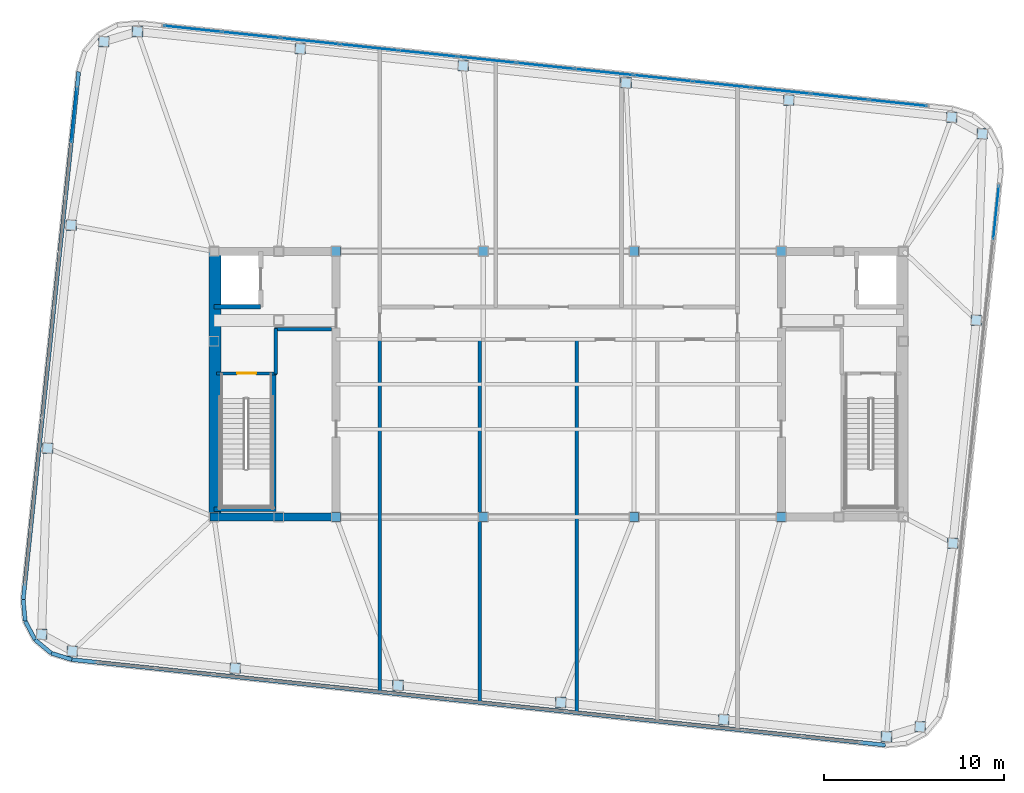
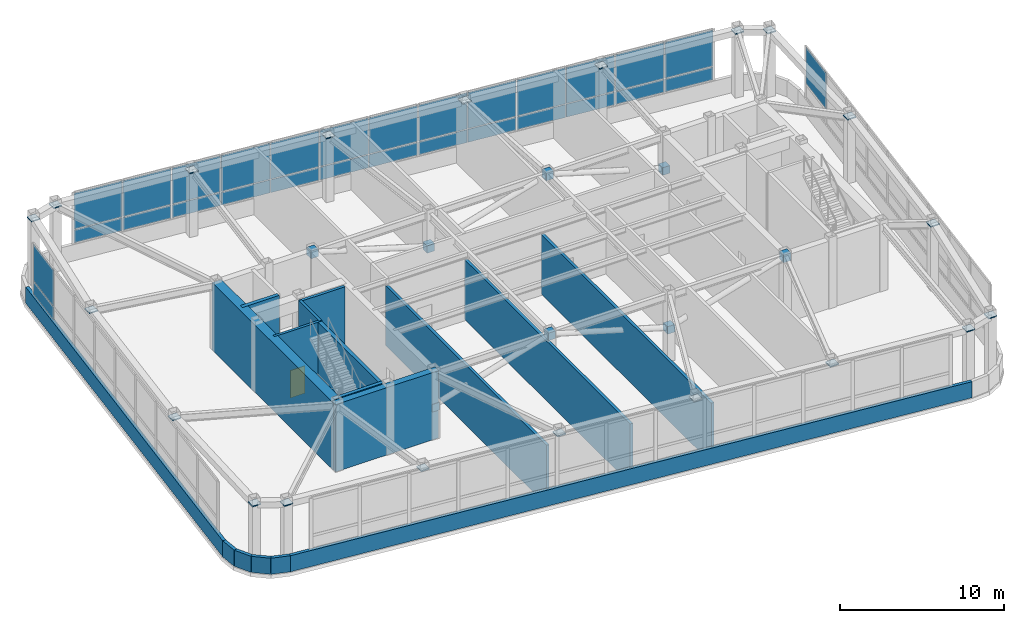
# One storey, part 19 of 23: 57 plates, 17 walls, 1 door, 1 opening, 3 elements without a shape of their own.
"""IFC4 building model written with IfcOpenShell, lengths in metres."""

from ifc_helpers import new_model, si_unit, direction, frame, frame_2d, origin, origin_2d, place, context, subcontext, project, spatial, rectangle, extrude, material, layer, layer_set, type_object, element, fill, aggregate, save


model = new_model("IFC4")

# Units and contexts
model_context = context("Model", 3, precision=1e-05, world=origin(), true_north=direction((0.0, 1.0)))
body_context = subcontext(model_context, "Body", "Model", "MODEL_VIEW")
ifc_project = project(units=[si_unit("LENGTHUNIT", "METRE"), si_unit("AREAUNIT", "SQUARE_METRE"), si_unit("VOLUMEUNIT", "CUBIC_METRE"), si_unit("PLANEANGLEUNIT", "RADIAN"), si_unit("MASSUNIT", "GRAM", prefix="KILO")], contexts=[model_context])

# Site, building, storey
site_placement = place(None, origin())
site = spatial("IfcSite", under=ifc_project, at=site_placement, CompositionType="ELEMENT")
building_placement = place(site_placement, origin())
building = spatial("IfcBuilding", under=site, at=building_placement, Name="Voryun Gate Residences", CompositionType="ELEMENT")
storey_placement = place(building_placement, frame((0.0, 0.0, 326.60009765625)))
storey = spatial("IfcBuildingStorey", under=building, at=storey_placement, Name="L80", CompositionType="ELEMENT", Elevation=326.60009765625)

# Plates
ifc_material_1 = material(Name="Steel SM355", Category="steel")
ifc_layer_1 = layer(ifc_material_1, 0.02490234375, Name="PLT_END_CAP_25")
ifc_layer_set_1 = layer_set([ifc_layer_1], Name="Steel SM355")
plate_type_1 = type_object("IfcPlateType", Name="PLT_END_CAP_25", PredefinedType="USERDEFINED", material=ifc_layer_set_1)
for number, where, z_axis, x_axis, name in (
    (1, (-27.088623046875, -14.87158203125, 4.759765625), (0.0, 0.0, 1.0), (1.0, 0.0, 0.0), "L80 Hollow Member End-Cap Plate EC-1019"),
    (2, (-18.0185546875, -15.824951171875, 4.759765625), (0.0, 0.0, 1.0), (1.0, 0.0, 0.0), "L80 Hollow Member End-Cap Plate EC-1020"),
    (3, (-8.948486328125, -16.7783203125, 4.759765625), (0.0, 0.0, 1.0), (1.0, 0.0, 0.0), "L80 Hollow Member End-Cap Plate EC-1021"),
    (4, (0.12158203125, -17.731689453125, 4.759765625), (0.0, 0.0, 1.0), (1.0, 0.0, 0.0), "L80 Hollow Member End-Cap Plate EC-1022"),
    (5, (9.19140625, -18.684814453125, 4.759765625), (0.0, 0.0, 1.0), (1.0, 0.0, 0.0), "L80 Hollow Member End-Cap Plate EC-1023"),
    (6, (18.261474609375, -19.63818359375, 4.759765625), (0.0, 0.0, 1.0), (1.0, 0.0, 0.0), "L80 Hollow Member End-Cap Plate EC-1024"),
    (7, (20.1328125, -19.083984375, 4.759765625), (0.0, 0.0, 1.0), (1.0, 0.0, 0.0), "L80 Hollow Member End-Cap Plate EC-1025"),
    (8, (21.958251953125, -8.861572265625, 4.759765625), (0.0, 0.0, 1.0), (1.0, 0.0, 0.0), "L80 Hollow Member End-Cap Plate EC-1026"),
    (9, (23.263916015625, 3.56201171875, 4.759765625), (0.0, 0.0, 1.0), (1.0, 0.0, 0.0), "L80 Hollow Member End-Cap Plate EC-1027"),
    (10, (23.603759765625, 13.9404296875, 4.759765625), (0.0, 0.0, 1.0), (1.0, 0.0, 0.0), "L80 Hollow Member End-Cap Plate EC-1028"),
    (11, (21.888671875, 14.87158203125, 4.759765625), (0.0, 0.0, 1.0), (1.0, 0.0, 0.0), "L80 Hollow Member End-Cap Plate EC-1029"),
    (12, (12.818603515625, 15.824951171875, 4.759765625), (0.0, 0.0, 1.0), (1.0, 0.0, 0.0), "L80 Hollow Member End-Cap Plate EC-1030"),
    (13, (3.74853515625, 16.7783203125, 4.759765625), (0.0, 0.0, 1.0), (1.0, 0.0, 0.0), "L80 Hollow Member End-Cap Plate EC-1031"),
    (14, (-5.3212890625, 17.731689453125, 4.759765625), (0.0, 0.0, 1.0), (1.0, 0.0, 0.0), "L80 Hollow Member End-Cap Plate EC-1032"),
    (15, (-14.3916015625, 18.684814453125, 4.759765625), (0.0, 0.0, 1.0), (1.0, 0.0, 0.0), "L80 Hollow Member End-Cap Plate EC-1033"),
    (16, (-23.46142578125, 19.63818359375, 4.759765625), (0.0, 0.0, 1.0), (1.0, 0.0, 0.0), "L80 Hollow Member End-Cap Plate EC-1034"),
    (17, (-25.332763671875, 19.083984375, 4.759765625), (0.0, 0.0, 1.0), (1.0, 0.0, 0.0), "L80 Hollow Member End-Cap Plate EC-1035"),
    (18, (-27.158203125, 8.861572265625, 4.759765625), (0.0, 0.0, 1.0), (1.0, 0.0, 0.0), "L80 Hollow Member End-Cap Plate EC-1036"),
    (19, (-28.464111328125, -3.56201171875, 4.759765625), (0.0, 0.0, 1.0), (1.0, 0.0, 0.0), "L80 Hollow Member End-Cap Plate EC-1037"),
    (20, (-28.8037109375, -13.9404296875, 4.759765625), (0.0, 0.0, 1.0), (1.0, 0.0, 0.0), "L80 Hollow Member End-Cap Plate EC-1038"),
):
    element("IfcPlate", number, at=place(storey_placement, frame(where, z_axis=z_axis, x_axis=x_axis)), inside=storey, type_object=plate_type_1, Name=name, ObjectType="BASE_PLATE", PredefinedType="USERDEFINED", context=body_context, shape_type="SweptSolid", body=[
        extrude(rectangle(XDim=0.590087890625, YDim=0.590087890625, at=origin_2d()), origin(), (0.0, 0.0, 1.0), 0.080078125),
    ])
for number, where, z_axis, x_axis, name in (
    (21, (-4.199951171875, -7.39990234375, 4.56494140625), (0.0, 0.0, 1.0), (1.0, 0.0, 0.0), "L80 Brace Node Connection Plate BN-1040"),
    (22, (12.39990234375, -7.39990234375, 4.56494140625), (0.0, 0.0, 1.0), (1.0, 0.0, 0.0), "L80 Brace Node Connection Plate BN-1042"),
    (23, (-12.39990234375, 7.39990234375, 4.56494140625), (0.0, 0.0, 1.0), (1.0, 0.0, 0.0), "L80 Brace Node Connection Plate BN-1044"),
    (24, (12.39990234375, 7.39990234375, 2.099853515625), (0.0, 0.0, 1.0), (1.0, 0.0, 0.0), "L80 Brace Node Connection Plate BN-1046"),
):
    element("IfcPlate", number, at=place(storey_placement, frame(where, z_axis=z_axis, x_axis=x_axis)), inside=storey, type_object=plate_type_1, Name=name, ObjectType="BASE_PLATE", PredefinedType="USERDEFINED", context=body_context, shape_type="SweptSolid", body=[
        extrude(rectangle(XDim=0.52001953125, YDim=0.52001953125, at=origin_2d()), origin(), (0.0, 0.0, 1.0), 0.56005859375),
    ])

# Curtain wall, plates
ifc_material_2 = material(Name="Anodised aluminium", Category="aluminium")
ifc_layer_2 = layer(ifc_material_2, 0.22998046875, Name="CW_SYS_LANTERN_DARK_GLASS")
ifc_layer_set_2 = layer_set([ifc_layer_2], Name="Anodised aluminium")
curtain_wall_type = type_object("IfcCurtainWallType", Name="CW_SYS_LANTERN_DARK_GLASS", PredefinedType="NOTDEFINED", material=ifc_layer_set_2)
curtain_wall_1_placement = place(storey_placement, origin())
curtain_wall_1 = element("IfcCurtainWall", 25, at=curtain_wall_1_placement, inside=storey, type_object=curtain_wall_type, Name="Curtain wall CW6-L80-06", PredefinedType="NOTDEFINED")
ifc_material_3 = material(Name="Fritted lantern glass", Category="glass")
ifc_layer_3 = layer(ifc_material_3, 0.050048828125, Name="PLT_GLASS_FRIT_LANTERN")
ifc_layer_set_3 = layer_set([ifc_layer_3], Name="Fritted lantern glass")
plate_type_2 = type_object("IfcPlateType", Name="PLT_GLASS_FRIT_LANTERN", PredefinedType="CURTAIN_PANEL", material=ifc_layer_set_3)
plate_1_placement = place(storey_placement, frame((-26.989013671875, 14.9677734375, 1.25), z_axis=(0.0, 0.0, 1.0), x_axis=(0.104528004296, 0.994521943608, 0.0)))
plate_1 = element("IfcPlate", 26, at=plate_1_placement, type_object=plate_type_2, Name="CW6 panel 9.1", PredefinedType="CURTAIN_PANEL", context=body_context, shape_type="SweptSolid", body=[
    extrude(rectangle(XDim=2.997802734375, YDim=0.028076171875, at=origin_2d()), origin(), (0.0, 0.0, 1.0), 0.9599609375),
])
plate_2_placement = place(storey_placement, frame((-26.989013671875, 14.9677734375, 2.27001953125), z_axis=(0.0, 0.0, 1.0), x_axis=(0.104528004296, 0.994521943608, 0.0)))
plate_2 = element("IfcPlate", 27, at=plate_2_placement, type_object=plate_type_2, Name="CW6 panel 9.2", PredefinedType="CURTAIN_PANEL", context=body_context, shape_type="SweptSolid", body=[
    extrude(rectangle(XDim=2.997802734375, YDim=0.028076171875, at=origin_2d()), origin(), (0.0, 0.0, 1.0), 2.695068359375),
])
aggregate(curtain_wall_1, [plate_1, plate_2])

curtain_wall_2_placement = place(storey_placement, origin())
curtain_wall_2 = element("IfcCurtainWall", 28, at=curtain_wall_2_placement, inside=storey, type_object=curtain_wall_type, Name="Curtain wall CW6-L80-11", PredefinedType="NOTDEFINED")
plate_3_placement = place(storey_placement, frame((-20.382080078125, 19.787109375, 1.25), z_axis=(0.0, 0.0, 1.0), x_axis=(0.994521969434, -0.10452775858, 0.0)))
plate_3 = element("IfcPlate", 29, at=plate_3_placement, type_object=plate_type_2, Name="CW6 panel 1.1", PredefinedType="CURTAIN_PANEL", context=body_context, shape_type="SweptSolid", body=[
    extrude(rectangle(XDim=3.20458984375, YDim=0.028076171875, at=origin_2d()), origin(), (0.0, 0.0, 1.0), 0.9599609375),
])
plate_4_placement = place(storey_placement, frame((-20.382080078125, 19.787109375, 2.27001953125), z_axis=(0.0, 0.0, 1.0), x_axis=(0.994521969434, -0.10452775858, 0.0)))
plate_4 = element("IfcPlate", 30, at=plate_4_placement, type_object=plate_type_2, Name="CW6 panel 1.2", PredefinedType="CURTAIN_PANEL", context=body_context, shape_type="SweptSolid", body=[
    extrude(rectangle(XDim=3.20458984375, YDim=0.028076171875, at=origin_2d()), origin(), (0.0, 0.0, 1.0), 2.695068359375),
])
plate_5_placement = place(storey_placement, frame((-17.120361328125, 19.4443359375, 1.25), z_axis=(0.0, 0.0, 1.0), x_axis=(0.994521969434, -0.10452775858, 0.0)))
plate_5 = element("IfcPlate", 31, at=plate_5_placement, type_object=plate_type_2, Name="CW6 panel 2.1", PredefinedType="CURTAIN_PANEL", context=body_context, shape_type="SweptSolid", body=[
    extrude(rectangle(XDim=3.234619140625, YDim=0.028076171875, at=origin_2d()), origin(), (0.0, 0.0, 1.0), 0.9599609375),
])
plate_6_placement = place(storey_placement, frame((-17.120361328125, 19.4443359375, 2.27001953125), z_axis=(0.0, 0.0, 1.0), x_axis=(0.994521969434, -0.10452775858, 0.0)))
plate_6 = element("IfcPlate", 32, at=plate_6_placement, type_object=plate_type_2, Name="CW6 panel 2.2", PredefinedType="CURTAIN_PANEL", context=body_context, shape_type="SweptSolid", body=[
    extrude(rectangle(XDim=3.234619140625, YDim=0.028076171875, at=origin_2d()), origin(), (0.0, 0.0, 1.0), 2.695068359375),
])
plate_7_placement = place(storey_placement, frame((-13.84375, 19.099853515625, 1.25), z_axis=(0.0, 0.0, 1.0), x_axis=(0.994521969434, -0.10452775858, 0.0)))
plate_7 = element("IfcPlate", 33, at=plate_7_placement, type_object=plate_type_2, Name="CW6 panel 3.1", PredefinedType="CURTAIN_PANEL", context=body_context, shape_type="SweptSolid", body=[
    extrude(rectangle(XDim=3.234619140625, YDim=0.028076171875, at=origin_2d()), origin(), (0.0, 0.0, 1.0), 0.9599609375),
])
plate_8_placement = place(storey_placement, frame((-13.84375, 19.099853515625, 2.27001953125), z_axis=(0.0, 0.0, 1.0), x_axis=(0.994521969434, -0.10452775858, 0.0)))
plate_8 = element("IfcPlate", 34, at=plate_8_placement, type_object=plate_type_2, Name="CW6 panel 3.2", PredefinedType="CURTAIN_PANEL", context=body_context, shape_type="SweptSolid", body=[
    extrude(rectangle(XDim=3.234619140625, YDim=0.028076171875, at=origin_2d()), origin(), (0.0, 0.0, 1.0), 2.695068359375),
])
plate_9_placement = place(storey_placement, frame((-10.567138671875, 18.755615234375, 1.25), z_axis=(0.0, 0.0, 1.0), x_axis=(0.994521969434, -0.10452775858, 0.0)))
plate_9 = element("IfcPlate", 35, at=plate_9_placement, type_object=plate_type_2, Name="CW6 panel 4.1", PredefinedType="CURTAIN_PANEL", context=body_context, shape_type="SweptSolid", body=[
    extrude(rectangle(XDim=3.234619140625, YDim=0.028076171875, at=origin_2d()), origin(), (0.0, 0.0, 1.0), 0.9599609375),
])
plate_10_placement = place(storey_placement, frame((-10.567138671875, 18.755615234375, 2.27001953125), z_axis=(0.0, 0.0, 1.0), x_axis=(0.994521969434, -0.10452775858, 0.0)))
plate_10 = element("IfcPlate", 36, at=plate_10_placement, type_object=plate_type_2, Name="CW6 panel 4.2", PredefinedType="CURTAIN_PANEL", context=body_context, shape_type="SweptSolid", body=[
    extrude(rectangle(XDim=3.234619140625, YDim=0.028076171875, at=origin_2d()), origin(), (0.0, 0.0, 1.0), 2.695068359375),
])
plate_11_placement = place(storey_placement, frame((-7.29052734375, 18.4111328125, 1.25), z_axis=(0.0, 0.0, 1.0), x_axis=(0.994521969434, -0.10452775858, 0.0)))
plate_11 = element("IfcPlate", 37, at=plate_11_placement, type_object=plate_type_2, Name="CW6 panel 5.1", PredefinedType="CURTAIN_PANEL", context=body_context, shape_type="SweptSolid", body=[
    extrude(rectangle(XDim=3.234619140625, YDim=0.028076171875, at=origin_2d()), origin(), (0.0, 0.0, 1.0), 0.9599609375),
])
plate_12_placement = place(storey_placement, frame((-7.29052734375, 18.4111328125, 2.27001953125), z_axis=(0.0, 0.0, 1.0), x_axis=(0.994521969434, -0.10452775858, 0.0)))
plate_12 = element("IfcPlate", 38, at=plate_12_placement, type_object=plate_type_2, Name="CW6 panel 5.2", PredefinedType="CURTAIN_PANEL", context=body_context, shape_type="SweptSolid", body=[
    extrude(rectangle(XDim=3.234619140625, YDim=0.028076171875, at=origin_2d()), origin(), (0.0, 0.0, 1.0), 2.695068359375),
])
plate_13_placement = place(storey_placement, frame((-4.013916015625, 18.06689453125, 1.25), z_axis=(0.0, 0.0, 1.0), x_axis=(0.994521969434, -0.10452775858, 0.0)))
plate_13 = element("IfcPlate", 39, at=plate_13_placement, type_object=plate_type_2, Name="CW6 panel 6.1", PredefinedType="CURTAIN_PANEL", context=body_context, shape_type="SweptSolid", body=[
    extrude(rectangle(XDim=3.234619140625, YDim=0.028076171875, at=origin_2d()), origin(), (0.0, 0.0, 1.0), 0.9599609375),
])
plate_14_placement = place(storey_placement, frame((-4.013916015625, 18.06689453125, 2.27001953125), z_axis=(0.0, 0.0, 1.0), x_axis=(0.994521969434, -0.10452775858, 0.0)))
plate_14 = element("IfcPlate", 40, at=plate_14_placement, type_object=plate_type_2, Name="CW6 panel 6.2", PredefinedType="CURTAIN_PANEL", context=body_context, shape_type="SweptSolid", body=[
    extrude(rectangle(XDim=3.234619140625, YDim=0.028076171875, at=origin_2d()), origin(), (0.0, 0.0, 1.0), 2.695068359375),
])
plate_15_placement = place(storey_placement, frame((-0.7373046875, 17.722412109375, 1.25), z_axis=(0.0, 0.0, 1.0), x_axis=(0.994521969434, -0.10452775858, 0.0)))
plate_15 = element("IfcPlate", 41, at=plate_15_placement, type_object=plate_type_2, Name="CW6 panel 7.1", PredefinedType="CURTAIN_PANEL", context=body_context, shape_type="SweptSolid", body=[
    extrude(rectangle(XDim=3.234619140625, YDim=0.028076171875, at=origin_2d()), origin(), (0.0, 0.0, 1.0), 0.9599609375),
])
plate_16_placement = place(storey_placement, frame((-0.7373046875, 17.722412109375, 2.27001953125), z_axis=(0.0, 0.0, 1.0), x_axis=(0.994521969434, -0.10452775858, 0.0)))
plate_16 = element("IfcPlate", 42, at=plate_16_placement, type_object=plate_type_2, Name="CW6 panel 7.2", PredefinedType="CURTAIN_PANEL", context=body_context, shape_type="SweptSolid", body=[
    extrude(rectangle(XDim=3.234619140625, YDim=0.028076171875, at=origin_2d()), origin(), (0.0, 0.0, 1.0), 2.695068359375),
])
plate_17_placement = place(storey_placement, frame((2.539306640625, 17.3779296875, 1.25), z_axis=(0.0, 0.0, 1.0), x_axis=(0.994521969434, -0.10452775858, 0.0)))
plate_17 = element("IfcPlate", 43, at=plate_17_placement, type_object=plate_type_2, Name="CW6 panel 8.1", PredefinedType="CURTAIN_PANEL", context=body_context, shape_type="SweptSolid", body=[
    extrude(rectangle(XDim=3.234619140625, YDim=0.028076171875, at=origin_2d()), origin(), (0.0, 0.0, 1.0), 0.9599609375),
])
plate_18_placement = place(storey_placement, frame((2.539306640625, 17.3779296875, 2.27001953125), z_axis=(0.0, 0.0, 1.0), x_axis=(0.994521969434, -0.10452775858, 0.0)))
plate_18 = element("IfcPlate", 44, at=plate_18_placement, type_object=plate_type_2, Name="CW6 panel 8.2", PredefinedType="CURTAIN_PANEL", context=body_context, shape_type="SweptSolid", body=[
    extrude(rectangle(XDim=3.234619140625, YDim=0.028076171875, at=origin_2d()), origin(), (0.0, 0.0, 1.0), 2.695068359375),
])
plate_19_placement = place(storey_placement, frame((5.81591796875, 17.03369140625, 1.25), z_axis=(0.0, 0.0, 1.0), x_axis=(0.994521969434, -0.10452775858, 0.0)))
plate_19 = element("IfcPlate", 45, at=plate_19_placement, type_object=plate_type_2, Name="CW6 panel 9.1", PredefinedType="CURTAIN_PANEL", context=body_context, shape_type="SweptSolid", body=[
    extrude(rectangle(XDim=3.234619140625, YDim=0.028076171875, at=origin_2d()), origin(), (0.0, 0.0, 1.0), 0.9599609375),
])
plate_20_placement = place(storey_placement, frame((5.81591796875, 17.03369140625, 2.27001953125), z_axis=(0.0, 0.0, 1.0), x_axis=(0.994521969434, -0.10452775858, 0.0)))
plate_20 = element("IfcPlate", 46, at=plate_20_placement, type_object=plate_type_2, Name="CW6 panel 9.2", PredefinedType="CURTAIN_PANEL", context=body_context, shape_type="SweptSolid", body=[
    extrude(rectangle(XDim=3.234619140625, YDim=0.028076171875, at=origin_2d()), origin(), (0.0, 0.0, 1.0), 2.695068359375),
])
plate_21_placement = place(storey_placement, frame((9.092529296875, 16.689208984375, 1.25), z_axis=(0.0, 0.0, 1.0), x_axis=(0.994521969434, -0.10452775858, 0.0)))
plate_21 = element("IfcPlate", 47, at=plate_21_placement, type_object=plate_type_2, Name="CW6 panel 10.1", PredefinedType="CURTAIN_PANEL", context=body_context, shape_type="SweptSolid", body=[
    extrude(rectangle(XDim=3.234619140625, YDim=0.028076171875, at=origin_2d()), origin(), (0.0, 0.0, 1.0), 0.9599609375),
])
plate_22_placement = place(storey_placement, frame((9.092529296875, 16.689208984375, 2.27001953125), z_axis=(0.0, 0.0, 1.0), x_axis=(0.994521969434, -0.10452775858, 0.0)))
plate_22 = element("IfcPlate", 48, at=plate_22_placement, type_object=plate_type_2, Name="CW6 panel 10.2", PredefinedType="CURTAIN_PANEL", context=body_context, shape_type="SweptSolid", body=[
    extrude(rectangle(XDim=3.234619140625, YDim=0.028076171875, at=origin_2d()), origin(), (0.0, 0.0, 1.0), 2.695068359375),
])
plate_23_placement = place(storey_placement, frame((12.369140625, 16.344970703125, 1.25), z_axis=(0.0, 0.0, 1.0), x_axis=(0.994521969434, -0.10452775858, 0.0)))
plate_23 = element("IfcPlate", 49, at=plate_23_placement, type_object=plate_type_2, Name="CW6 panel 11.1", PredefinedType="CURTAIN_PANEL", context=body_context, shape_type="SweptSolid", body=[
    extrude(rectangle(XDim=3.234619140625, YDim=0.028076171875, at=origin_2d()), origin(), (0.0, 0.0, 1.0), 0.9599609375),
])
plate_24_placement = place(storey_placement, frame((12.369140625, 16.344970703125, 2.27001953125), z_axis=(0.0, 0.0, 1.0), x_axis=(0.994521969434, -0.10452775858, 0.0)))
plate_24 = element("IfcPlate", 50, at=plate_24_placement, type_object=plate_type_2, Name="CW6 panel 11.2", PredefinedType="CURTAIN_PANEL", context=body_context, shape_type="SweptSolid", body=[
    extrude(rectangle(XDim=3.234619140625, YDim=0.028076171875, at=origin_2d()), origin(), (0.0, 0.0, 1.0), 2.695068359375),
])
plate_25_placement = place(storey_placement, frame((15.645751953125, 16.00048828125, 1.25), z_axis=(0.0, 0.0, 1.0), x_axis=(0.994521969434, -0.10452775858, 0.0)))
plate_25 = element("IfcPlate", 51, at=plate_25_placement, type_object=plate_type_2, Name="CW6 panel 12.1", PredefinedType="CURTAIN_PANEL", context=body_context, shape_type="SweptSolid", body=[
    extrude(rectangle(XDim=3.234619140625, YDim=0.028076171875, at=origin_2d()), origin(), (0.0, 0.0, 1.0), 0.9599609375),
])
plate_26_placement = place(storey_placement, frame((15.645751953125, 16.00048828125, 2.27001953125), z_axis=(0.0, 0.0, 1.0), x_axis=(0.994521969434, -0.10452775858, 0.0)))
plate_26 = element("IfcPlate", 52, at=plate_26_placement, type_object=plate_type_2, Name="CW6 panel 12.2", PredefinedType="CURTAIN_PANEL", context=body_context, shape_type="SweptSolid", body=[
    extrude(rectangle(XDim=3.234619140625, YDim=0.028076171875, at=origin_2d()), origin(), (0.0, 0.0, 1.0), 2.695068359375),
])
plate_27_placement = place(storey_placement, frame((18.907470703125, 15.65771484375, 1.25), z_axis=(0.0, 0.0, 1.0), x_axis=(0.994521969434, -0.10452775858, 0.0)))
plate_27 = element("IfcPlate", 53, at=plate_27_placement, type_object=plate_type_2, Name="CW6 panel 13.1", PredefinedType="CURTAIN_PANEL", context=body_context, shape_type="SweptSolid", body=[
    extrude(rectangle(XDim=3.20458984375, YDim=0.028076171875, at=origin_2d()), origin(), (0.0, 0.0, 1.0), 0.9599609375),
])
plate_28_placement = place(storey_placement, frame((18.907470703125, 15.65771484375, 2.27001953125), z_axis=(0.0, 0.0, 1.0), x_axis=(0.994521969434, -0.10452775858, 0.0)))
plate_28 = element("IfcPlate", 54, at=plate_28_placement, type_object=plate_type_2, Name="CW6 panel 13.2", PredefinedType="CURTAIN_PANEL", context=body_context, shape_type="SweptSolid", body=[
    extrude(rectangle(XDim=3.20458984375, YDim=0.028076171875, at=origin_2d()), origin(), (0.0, 0.0, 1.0), 2.695068359375),
])
aggregate(curtain_wall_2, [plate_3, plate_4, plate_5, plate_6, plate_7, plate_8, plate_9, plate_10, plate_11, plate_12, plate_13, plate_14, plate_15, plate_16, plate_17, plate_18, plate_19, plate_20, plate_21, plate_22, plate_23, plate_24, plate_25, plate_26, plate_27, plate_28])

# Curtain wall, plate
curtain_wall_3_placement = place(storey_placement, origin())
curtain_wall_3 = element("IfcCurtainWall", 55, at=curtain_wall_3_placement, inside=storey, type_object=curtain_wall_type, Name="Curtain wall CW6-L80-16", PredefinedType="NOTDEFINED")
plate_29_placement = place(storey_placement, frame((24.3681640625, 9.56982421875, 2.27001953125), z_axis=(0.0, 0.0, 1.0), x_axis=(-0.104528004296, -0.994521943608, 0.0)))
plate_29 = element("IfcPlate", 56, at=plate_29_placement, type_object=plate_type_2, Name="CW6 panel 1.2", PredefinedType="CURTAIN_PANEL", context=body_context, shape_type="SweptSolid", body=[
    extrude(rectangle(XDim=2.997802734375, YDim=0.028076171875, at=origin_2d()), origin(), (0.0, 0.0, 1.0), 2.695068359375),
])
aggregate(curtain_wall_3, [plate_29])

# Plates
ifc_material_4 = material(Name="Steel SM420", Category="steel")
ifc_layer_4 = layer(ifc_material_4, 0.035888671875, Name="PLT_OUTRIGGER_GUSSET_36")
ifc_layer_set_4 = layer_set([ifc_layer_4], Name="Steel SM420")
plate_type_3 = type_object("IfcPlateType", Name="PLT_OUTRIGGER_GUSSET_36", PredefinedType="USERDEFINED", material=ifc_layer_set_4)
for number, where, z_axis, x_axis, name in (
    (57, (-12.39990234375, -7.39990234375, 2.099853515625), (0.0, 0.0, 1.0), (1.0, 0.0, 0.0), "L80 Brace Node Connection Plate BN-1039"),
    (58, (4.199951171875, -7.39990234375, 2.099853515625), (0.0, 0.0, 1.0), (1.0, 0.0, 0.0), "L80 Brace Node Connection Plate BN-1041"),
    (59, (-4.199951171875, 7.39990234375, 2.099853515625), (0.0, 0.0, 1.0), (1.0, 0.0, 0.0), "L80 Brace Node Connection Plate BN-1043"),
    (60, (4.199951171875, 7.39990234375, 4.56494140625), (0.0, 0.0, 1.0), (1.0, 0.0, 0.0), "L80 Brace Node Connection Plate BN-1045"),
):
    element("IfcPlate", number, at=place(storey_placement, frame(where, z_axis=z_axis, x_axis=x_axis)), inside=storey, type_object=plate_type_3, Name=name, ObjectType="GUSSET_PLATE", PredefinedType="USERDEFINED", context=body_context, shape_type="SweptSolid", body=[
        extrude(rectangle(XDim=0.52001953125, YDim=0.52001953125, at=origin_2d()), origin(), (0.0, 0.0, 1.0), 0.56005859375),
    ])

# Walls
ifc_material_5 = material(Name="Concrete C50/60", Category="concrete")
ifc_layer_5 = layer(ifc_material_5, 0.449951171875, Name="CW_CORE_450")
ifc_layer_set_5 = layer_set([ifc_layer_5], Name="Concrete C50/60")
wall_type_1 = type_object("IfcWallType", Name="CW_CORE_450", PredefinedType="SHEAR", material=ifc_layer_set_5)
wall_1_placement = place(storey_placement, frame((-19.425048828125, -7.39990234375, 0.0), z_axis=(0.0, 0.0, 1.0), x_axis=(1.0, 0.0, 0.0)))
element("IfcWall", 61, at=wall_1_placement, inside=storey, type_object=wall_type_1, Name="L80 Core shear wall CW-L80-WS", PredefinedType="SHEAR", context=body_context, shape_type="SweptSolid", body=[
    extrude(rectangle(XDim=7.25, YDim=0.449951171875, at=frame_2d((3.625, 0.0))), origin(), (0.0, 0.0, 1.0), 5.02490234375),
])
ifc_material_6 = material(Name="Concrete C60/75", Category="concrete")
ifc_layer_6 = layer(ifc_material_6, 0.64990234375, Name="CW_CORE_650")
ifc_layer_set_6 = layer_set([ifc_layer_6], Name="Concrete C60/75")
wall_type_2 = type_object("IfcWallType", Name="CW_CORE_650", PredefinedType="SHEAR", material=ifc_layer_set_6)
wall_2_placement = place(storey_placement, frame((-19.14501953125, -7.39990234375, 0.0), z_axis=(0.0, 0.0, 1.0), x_axis=(0.0, 1.0, 0.0)))
element("IfcWall", 62, at=wall_2_placement, inside=storey, type_object=wall_type_2, Name="L80 Core shear wall CW-L80-WW", PredefinedType="SHEAR", context=body_context, shape_type="SweptSolid", body=[
    extrude(rectangle(XDim=14.7998046875, YDim=0.64990234375, at=frame_2d((7.39990234375, 0.0))), origin(), (0.0, 0.0, 1.0), 5.02490234375),
])

# Wall, opening, door
ifc_material_7 = material(Name="Gypsum acoustic fireboard")
ifc_layer_7 = layer(ifc_material_7, 0.179931640625, Name="W_CORR_RATED_180")
ifc_layer_set_7 = layer_set([ifc_layer_7], Name="Gypsum acoustic fireboard")
wall_type_3 = type_object("IfcWallType", Name="W_CORR_RATED_180", PredefinedType="PARTITIONING", material=ifc_layer_set_7)
wall_3_placement = place(storey_placement, frame((-19.06005859375, 0.60009765625, 0.0), z_axis=(0.0, 0.0, 1.0), x_axis=(1.0, 0.0, 0.0)))
wall_3 = element("IfcWall", 63, at=wall_3_placement, inside=storey, type_object=wall_type_3, Name="Partition wall WP-L80-STV-W", PredefinedType="PARTITIONING", context=body_context, shape_type="SweptSolid", body=[
    extrude(rectangle(XDim=3.360107421875, YDim=0.179931640625, at=frame_2d((1.68017578125, 0.0))), origin(), (0.0, 0.0, 1.0), 5.02490234375),
])
opening_placement = place(wall_3_placement, frame((1.155029296875, 0.0, 0.0)))
opening = element("IfcOpeningElement", 64, at=opening_placement, cuts=wall_3, Name="Opening D-FD60-1", PredefinedType="OPENING", context=body_context, shape_type="SweptSolid", body=[
    extrude(rectangle(XDim=1.050048828125, YDim=2.050048828125, at=frame_2d((0.52490234375, 1.02490234375))), frame((0.0, 0.099853515625, 0.0), z_axis=(0.0, -1.0, 0.0), x_axis=(1.0, 0.0, 0.0)), (0.0, 0.0, 1.0), 0.199951171875),
])
ifc_material_8 = material(Name="Painted steel fire door", Category="steel")
door_type = type_object("IfcDoorType", Name="DR_FD60_STAIR_1050", OperationType="NOTDEFINED", PredefinedType="DOOR", material=ifc_material_8)
door_placement = place(opening_placement, origin())
door = element("IfcDoor", 65, at=door_placement, inside=storey, type_object=door_type, Name="Door DR-L80-ST-W", OperationType="SINGLE_SWING_LEFT", OverallHeight=2.050048828125, OverallWidth=1.050048828125, PredefinedType="DOOR", context=body_context, shape_type="SweptSolid", body=[
    extrude(rectangle(XDim=1.050048828125, YDim=2.050048828125, at=frame_2d((0.52490234375, 1.02490234375))), frame((0.0, 0.02490234375, 0.0), z_axis=(0.0, -1.0, 0.0), x_axis=(1.0, 0.0, 0.0)), (0.0, 0.0, 1.0), 0.050048828125),
])
fill(opening, door)

# Walls
ifc_material_9 = material(Name="Concrete C40/50", Category="concrete")
ifc_layer_8 = layer(ifc_material_9, 0.199951171875, Name="W_FF_LOBBY_200")
ifc_layer_set_8 = layer_set([ifc_layer_8], Name="Concrete C40/50")
wall_type_4 = type_object("IfcWallType", Name="W_FF_LOBBY_200", PredefinedType="PARTITIONING", material=ifc_layer_set_8)
wall_4_placement = place(storey_placement, frame((-15.760009765625, 0.580078125, 0.0), z_axis=(0.0, 0.0, 1.0), x_axis=(0.0, 1.0, 0.0)))
element("IfcWall", 66, at=wall_4_placement, inside=storey, type_object=wall_type_4, Name="Partition wall WP-L80-FFP0-W", PredefinedType="PARTITIONING", context=body_context, shape_type="SweptSolid", body=[
    extrude(rectangle(XDim=2.52001953125, YDim=0.199951171875, at=frame_2d((1.260009765625, 0.0))), origin(), (0.0, 0.0, 1.0), 5.02490234375),
])
wall_5_placement = place(storey_placement, frame((-15.820068359375, 3.06005859375, 0.0), z_axis=(0.0, 0.0, 1.0), x_axis=(1.0, 0.0, 0.0)))
element("IfcWall", 67, at=wall_5_placement, inside=storey, type_object=wall_type_4, Name="Partition wall WP-L80-FFPS-W", PredefinedType="PARTITIONING", context=body_context, shape_type="SweptSolid", body=[
    extrude(rectangle(XDim=3.16015625, YDim=0.199951171875, at=frame_2d((1.580078125, 0.0))), origin(), (0.0, 0.0, 1.0), 5.02490234375),
])
wall_6_placement = place(storey_placement, frame((-9.9599609375, -17.12451171875, 0.0), z_axis=(0.0, 0.0, 1.0), x_axis=(0.0, 1.0, 0.0)))
element("IfcWall", 68, at=wall_6_placement, inside=storey, type_object=wall_type_4, Name="Partition wall WP-L80-CW1", PredefinedType="PARTITIONING", context=body_context, shape_type="SweptSolid", body=[
    extrude(rectangle(XDim=19.62451171875, YDim=0.199951171875, at=frame_2d((9.812255859375, 0.0))), origin(), (0.0, 0.0, 1.0), 4.46484375),
])
wall_7_placement = place(storey_placement, frame((-4.39990234375, -17.708984375, 0.0), z_axis=(0.0, 0.0, 1.0), x_axis=(0.0, 1.0, 0.0)))
element("IfcWall", 69, at=wall_7_placement, inside=storey, type_object=wall_type_4, Name="Partition wall WP-L80-CMIDS1", PredefinedType="PARTITIONING", context=body_context, shape_type="SweptSolid", body=[
    extrude(rectangle(XDim=20.208984375, YDim=0.199951171875, at=frame_2d((10.1044921875, 0.0))), origin(), (0.0, 0.0, 1.0), 4.46484375),
])
wall_8_placement = place(storey_placement, frame((1.0, -18.2763671875, 0.0), z_axis=(0.0, 0.0, 1.0), x_axis=(0.0, 1.0, 0.0)))
element("IfcWall", 70, at=wall_8_placement, inside=storey, type_object=wall_type_4, Name="Partition wall WP-L80-CMIDS2", PredefinedType="PARTITIONING", context=body_context, shape_type="SweptSolid", body=[
    extrude(rectangle(XDim=20.7763671875, YDim=0.199951171875, at=frame_2d((10.38818359375, 0.0))), origin(), (0.0, 0.0, 1.0), 4.46484375),
])
ifc_material_10 = material(Name="Precast concrete C40/50", Category="concrete")
ifc_layer_9 = layer(ifc_material_10, 0.219970703125, Name="W_PARAPET_CURB_220")
ifc_layer_set_9 = layer_set([ifc_layer_9], Name="Precast concrete C40/50")
wall_type_5 = type_object("IfcWallType", Name="W_PARAPET_CURB_220", PredefinedType="PARAPET", material=ifc_layer_set_9)
wall_9_placement = place(storey_placement, frame((18.19482421875, -20.103759765625, 0.0), z_axis=(0.0, 0.0, 1.0), x_axis=(-0.994522116558, 0.104526358762, 0.0)))
element("IfcWall", 71, at=wall_9_placement, inside=storey, type_object=wall_type_5, Name="Exterior wall WCRN-L80-01", PredefinedType="PARAPET", context=body_context, shape_type="SweptSolid", body=[
    extrude(rectangle(XDim=45.564453125, YDim=0.219970703125, at=frame_2d((22.7822265625, 0.0))), origin(), (0.0, 0.0, 1.0), 1.199951171875),
])
wall_10_placement = place(storey_placement, frame((-27.1201171875, -15.341064453125, 0.0), z_axis=(0.0, 0.0, 1.0), x_axis=(-0.95499831015, 0.296611239858, 0.0)))
element("IfcWall", 72, at=wall_10_placement, inside=storey, type_object=wall_type_5, Name="Exterior wall WCRN-L80-02", PredefinedType="PARAPET", context=body_context, shape_type="SweptSolid", body=[
    extrude(rectangle(XDim=1.195068359375, YDim=0.219970703125, at=frame_2d((0.59765625, 0.0))), origin(), (0.0, 0.0, 1.0), 1.199951171875),
])
wall_11_placement = place(storey_placement, frame((-28.261474609375, -14.986572265625, 0.0), z_axis=(0.0, 0.0, 1.0), x_axis=(-0.768849923601, 0.639429272852, 0.0)))
element("IfcWall", 73, at=wall_11_placement, inside=storey, type_object=wall_type_5, Name="Exterior wall WCRN-L80-03", PredefinedType="PARAPET", context=body_context, shape_type="SweptSolid", body=[
    extrude(rectangle(XDim=1.177001953125, YDim=0.219970703125, at=frame_2d((0.58837890625, 0.0))), origin(), (0.0, 0.0, 1.0), 1.199951171875),
])
wall_12_placement = place(storey_placement, frame((-29.16650390625, -14.23388671875, 0.0), z_axis=(0.0, 0.0, 1.0), x_axis=(-0.46554120999, 0.885026204019, 0.0)))
element("IfcWall", 74, at=wall_12_placement, inside=storey, type_object=wall_type_5, Name="Exterior wall WCRN-L80-04", PredefinedType="PARAPET", context=body_context, shape_type="SweptSolid", body=[
    extrude(rectangle(XDim=1.1767578125, YDim=0.219970703125, at=frame_2d((0.58837890625, 0.0))), origin(), (0.0, 0.0, 1.0), 1.199951171875),
])
wall_13_placement = place(storey_placement, frame((-29.71435546875, -13.1923828125, 0.0), z_axis=(0.0, 0.0, 1.0), x_axis=(-0.091530451467, 0.995802277791, 0.0)))
element("IfcWall", 75, at=wall_13_placement, inside=storey, type_object=wall_type_5, Name="Exterior wall WCRN-L80-05", PredefinedType="PARAPET", context=body_context, shape_type="SweptSolid", body=[
    extrude(rectangle(XDim=1.195068359375, YDim=0.219970703125, at=frame_2d((0.59765625, 0.0))), origin(), (0.0, 0.0, 1.0), 1.199951171875),
])
wall_14_placement = place(storey_placement, frame((-29.82373046875, -12.00244140625, 0.0), z_axis=(0.0, 0.0, 1.0), x_axis=(0.104528313262, 0.994521911134, 0.0)))
element("IfcWall", 76, at=wall_14_placement, inside=storey, type_object=wall_type_5, Name="Exterior wall WCRN-L80-06", PredefinedType="PARAPET", context=body_context, shape_type="SweptSolid", body=[
    extrude(rectangle(XDim=29.564453125, YDim=0.219970703125, at=frame_2d((14.7822265625, 0.0))), origin(), (0.0, 0.0, 1.0), 1.199951171875),
])
ifc_material_11 = material(Name="Concrete C50/60", Category="concrete")
ifc_layer_10 = layer(ifc_material_11, 0.25, Name="W_SHAFT_RC250")
ifc_layer_set_10 = layer_set([ifc_layer_10], Name="Concrete C50/60")
wall_type_6 = type_object("IfcWallType", Name="W_SHAFT_RC250", PredefinedType="SOLIDWALL", material=ifc_layer_set_10)
wall_15_placement = place(storey_placement, frame((-15.860107421875, -7.0849609375, 0.0), z_axis=(0.0, 0.0, 1.0), x_axis=(0.0, 1.0, 0.0)))
element("IfcWall", 77, at=wall_15_placement, inside=storey, type_object=wall_type_6, Name="L80 Stair shaft structural wall W-STR", PredefinedType="SOLIDWALL", context=body_context, shape_type="SweptSolid", body=[
    extrude(rectangle(XDim=7.68505859375, YDim=0.25, at=frame_2d((3.842529296875, 0.0))), origin(), (0.0, 0.0, 1.0), 5.02490234375),
])
wall_16_placement = place(storey_placement, frame((-19.199951171875, -6.965087890625, 0.0), z_axis=(0.0, 0.0, 1.0), x_axis=(1.0, 0.0, 0.0)))
element("IfcWall", 78, at=wall_16_placement, inside=storey, type_object=wall_type_6, Name="L80 Stair shaft structural wall W-STS", PredefinedType="SOLIDWALL", context=body_context, shape_type="SweptSolid", body=[
    extrude(rectangle(XDim=3.4599609375, YDim=0.25, at=frame_2d((1.72998046875, 0.0))), origin(), (0.0, 0.0, 1.0), 5.02490234375),
])
wall_17_placement = place(storey_placement, frame((-19.199951171875, 4.300048828125, 0.0), z_axis=(0.0, 0.0, 1.0), x_axis=(1.0, 0.0, 0.0)))
element("IfcWall", 79, at=wall_17_placement, inside=storey, type_object=wall_type_6, Name="Lift shaft wall WSH-L80-EL-FF-W1-S", PredefinedType="SOLIDWALL", context=body_context, shape_type="SweptSolid", body=[
    extrude(rectangle(XDim=2.599853515625, YDim=0.25, at=frame_2d((1.2998046875, 0.0))), origin(), (0.0, 0.0, 1.0), 5.02490234375),
])

save(model, "model.ifc")
